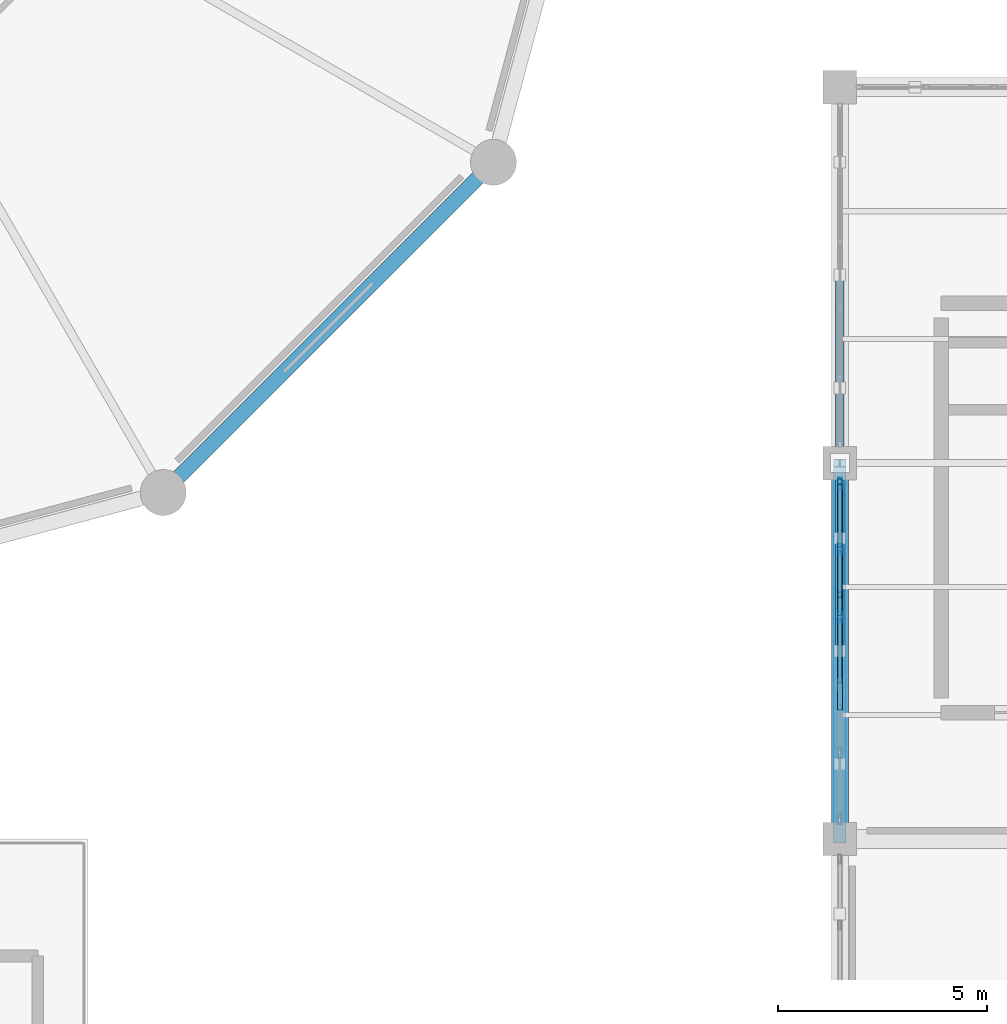
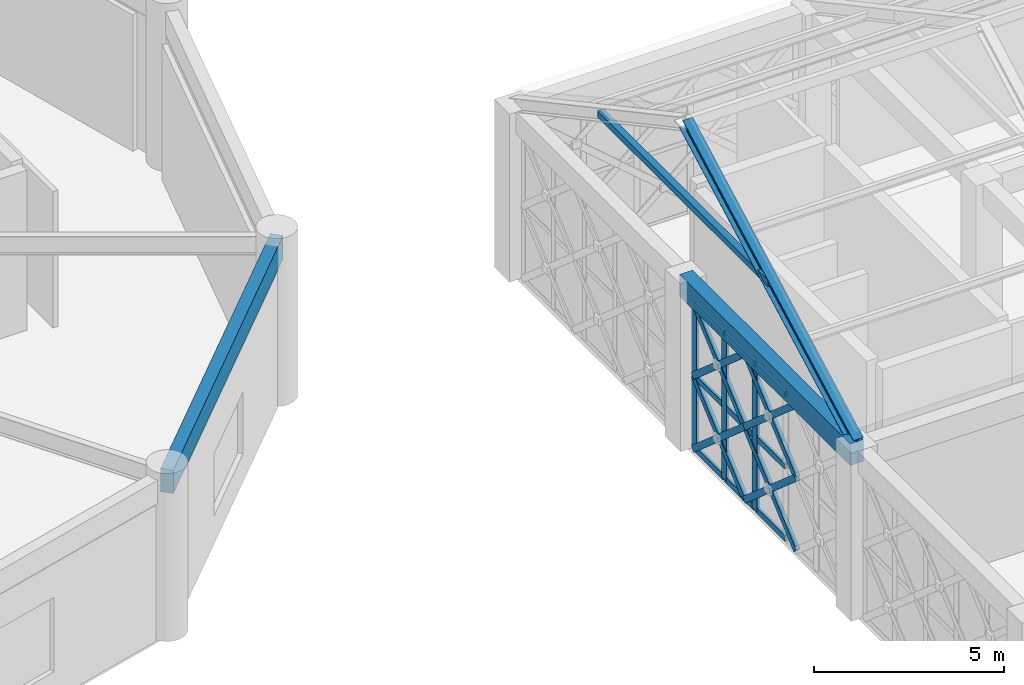
# One storey, part 25 of 86: 26 members, 2 beams, 1 element without a shape of its own.
"""IFC4 building model written with IfcOpenShell, lengths in metres."""

from ifc_helpers import new_model, si_unit, direction, frame, origin, origin_2d, place, context, subcontext, project, spatial, rectangle, hollow_rectangle, i_section, extrude, material, material_profile, profile_set, type_object, element, aggregate, save


model = new_model("IFC4")

# Units and contexts
model_context = context("Model", 3, precision=1e-05, world=origin(), true_north=direction((0.0, 1.0)))
body_context = subcontext(model_context, "Body", "Model", "MODEL_VIEW")
ifc_project = project(units=[si_unit("LENGTHUNIT", "METRE"), si_unit("AREAUNIT", "SQUARE_METRE"), si_unit("VOLUMEUNIT", "CUBIC_METRE"), si_unit("PLANEANGLEUNIT", "RADIAN"), si_unit("MASSUNIT", "GRAM", prefix="KILO")], contexts=[model_context])

# Site, building, storey
site_placement = place(None, origin())
site = spatial("IfcSite", under=ifc_project, at=site_placement, CompositionType="ELEMENT")
building_placement = place(site_placement, origin())
building = spatial("IfcBuilding", under=site, at=building_placement, Name="Haizhuo Lancet Aquarium", CompositionType="ELEMENT")
storey_placement = place(building_placement, frame((0.0, 0.0, 16.199951171875)))
storey = spatial("IfcBuildingStorey", under=building, at=storey_placement, Name="L03", CompositionType="ELEMENT", Elevation=16.199951171875)

# Beam
ifc_material_1 = material(Name="Concrete C40/50", Category="concrete")
ifc_material_profile_1 = material_profile(ifc_material_1, rectangle(XDim=0.39990234375, YDim=0.699951171875, at=origin_2d()), Name="RC-BM 400x700")
ifc_profile_set_1 = profile_set([ifc_material_profile_1], Name="Concrete C40/50")
beam_type_1 = type_object("IfcBeamType", Name="BM-RC-400x700", PredefinedType="BEAM", material=ifc_profile_set_1)
beam_1_placement = place(storey_placement, frame((27.0, -27.0, 5.050048828125), z_axis=(0.0, 1.0, 0.0), x_axis=(-1.0, 0.0, 0.0)))
element("IfcBeam", 1, at=beam_1_placement, inside=storey, type_object=beam_type_1, Name="L03 V3 primary girder BM-L03-V3-003", PredefinedType="BEAM", context=body_context, shape_type="SweptSolid", body=[
    extrude(rectangle(XDim=0.39990234375, YDim=0.699951171875, at=origin_2d()), origin(), (0.0, 0.0, 1.0), 9.0),
])

# Curtain wall, members
ifc_material_2 = material(Name="Aluminium 6063-T6", Category="aluminium")
curtain_wall_type = type_object("IfcCurtainWallType", Name="CWO-8110x4700", PredefinedType="NOTDEFINED", material=ifc_material_2)
curtain_wall_placement = place(storey_placement, origin())
curtain_wall = element("IfcCurtainWall", 2, at=curtain_wall_placement, inside=storey, type_object=curtain_wall_type, Name="L03 curtain wall CW-V3-L03-081", PredefinedType="NOTDEFINED")
ifc_material_profile_2 = material_profile(ifc_material_2, hollow_rectangle(XDim=0.080078125, YDim=0.260009765625, WallThickness=0.0048828125, at=origin_2d()), Name="ALU-M 80x260x5")
ifc_profile_set_2 = profile_set([ifc_material_profile_2], Name="Aluminium 6063-T6")
member_type_1 = type_object("IfcMemberType", Name="CW-MUL-3", PredefinedType="MULLION", material=ifc_profile_set_2)
member_1_placement = place(storey_placement, frame((27.0, -21.68896484375, 0.0), z_axis=(0.0, 0.0, 1.0), x_axis=(-1.0, 0.0, 0.0)))
member_1 = element("IfcMember", 3, at=member_1_placement, type_object=member_type_1, Name="CWO-81x47 mullion 4", PredefinedType="MULLION", context=body_context, shape_type="SweptSolid", body=[
    extrude(hollow_rectangle(XDim=0.080078125, YDim=0.260009765625, WallThickness=0.0048828125, at=origin_2d()), origin(), (0.0, 0.0, 1.0), 4.699951171875),
])
member_2_placement = place(storey_placement, frame((27.0, -20.06689453125, 0.0), z_axis=(0.0, 0.0, 1.0), x_axis=(-1.0, 0.0, 0.0)))
member_2 = element("IfcMember", 4, at=member_2_placement, type_object=member_type_1, Name="CWO-81x47 mullion 5", PredefinedType="MULLION", context=body_context, shape_type="SweptSolid", body=[
    extrude(hollow_rectangle(XDim=0.080078125, YDim=0.260009765625, WallThickness=0.0048828125, at=origin_2d()), origin(), (0.0, 0.0, 1.0), 4.699951171875),
])
member_3_placement = place(storey_placement, frame((27.0, -18.485107421875, 0.0), z_axis=(0.0, 0.0, 1.0), x_axis=(-1.0, 0.0, 0.0)))
member_3 = element("IfcMember", 5, at=member_3_placement, type_object=member_type_1, Name="CWO-81x47 mullion 6", PredefinedType="MULLION", context=body_context, shape_type="SweptSolid", body=[
    extrude(hollow_rectangle(XDim=0.080078125, YDim=0.260009765625, WallThickness=0.0048828125, at=origin_2d()), origin(), (0.0, 0.0, 1.0), 4.699951171875),
])
ifc_material_profile_3 = material_profile(ifc_material_2, hollow_rectangle(XDim=0.080078125, YDim=0.18994140625, WallThickness=0.0048828125, at=origin_2d()), Name="ALU-T 80x190x5")
ifc_profile_set_3 = profile_set([ifc_material_profile_3], Name="Aluminium 6063-T6")
member_type_2 = type_object("IfcMemberType", Name="CW-TRN-3", PredefinedType="NOTDEFINED", material=ifc_profile_set_3)
member_4_placement = place(storey_placement, frame((27.0, -23.27099609375, 0.0400390625), z_axis=(0.0, 1.0, 0.0), x_axis=(-1.0, 0.0, 0.0)))
member_4 = element("IfcMember", 6, at=member_4_placement, type_object=member_type_2, Name="CWO-81x47 transom 3.1", ObjectType="TRANSOM", PredefinedType="USERDEFINED", context=body_context, shape_type="SweptSolid", body=[
    extrude(hollow_rectangle(XDim=0.080078125, YDim=0.18994140625, WallThickness=0.0048828125, at=origin_2d()), origin(), (0.0, 0.0, 1.0), 1.5419921875),
])
member_5_placement = place(storey_placement, frame((27.0, -23.27099609375, 2.35009765625), z_axis=(0.0, 1.0, 0.0), x_axis=(-1.0, 0.0, 0.0)))
member_5 = element("IfcMember", 7, at=member_5_placement, type_object=member_type_2, Name="CWO-81x47 transom 3.2", ObjectType="TRANSOM", PredefinedType="USERDEFINED", context=body_context, shape_type="SweptSolid", body=[
    extrude(hollow_rectangle(XDim=0.080078125, YDim=0.18994140625, WallThickness=0.0048828125, at=origin_2d()), origin(), (0.0, 0.0, 1.0), 1.5419921875),
])
member_6_placement = place(storey_placement, frame((27.0, -23.27099609375, 4.66015625), z_axis=(0.0, 1.0, 0.0), x_axis=(-1.0, 0.0, 0.0)))
member_6 = element("IfcMember", 8, at=member_6_placement, type_object=member_type_2, Name="CWO-81x47 transom 3.3", ObjectType="TRANSOM", PredefinedType="USERDEFINED", context=body_context, shape_type="SweptSolid", body=[
    extrude(hollow_rectangle(XDim=0.080078125, YDim=0.18994140625, WallThickness=0.0048828125, at=origin_2d()), origin(), (0.0, 0.0, 1.0), 1.5419921875),
])
member_7_placement = place(storey_placement, frame((27.0, -21.64892578125, 0.0400390625), z_axis=(0.0, 1.0, 0.0), x_axis=(-1.0, 0.0, 0.0)))
member_7 = element("IfcMember", 9, at=member_7_placement, type_object=member_type_2, Name="CWO-81x47 transom 4.1", ObjectType="TRANSOM", PredefinedType="USERDEFINED", context=body_context, shape_type="SweptSolid", body=[
    extrude(hollow_rectangle(XDim=0.080078125, YDim=0.18994140625, WallThickness=0.0048828125, at=origin_2d()), origin(), (0.0, 0.0, 1.0), 1.5419921875),
])
member_8_placement = place(storey_placement, frame((27.0, -21.64892578125, 2.35009765625), z_axis=(0.0, 1.0, 0.0), x_axis=(-1.0, 0.0, 0.0)))
member_8 = element("IfcMember", 10, at=member_8_placement, type_object=member_type_2, Name="CWO-81x47 transom 4.2", ObjectType="TRANSOM", PredefinedType="USERDEFINED", context=body_context, shape_type="SweptSolid", body=[
    extrude(hollow_rectangle(XDim=0.080078125, YDim=0.18994140625, WallThickness=0.0048828125, at=origin_2d()), origin(), (0.0, 0.0, 1.0), 1.5419921875),
])
member_9_placement = place(storey_placement, frame((27.0, -21.64892578125, 4.66015625), z_axis=(0.0, 1.0, 0.0), x_axis=(-1.0, 0.0, 0.0)))
member_9 = element("IfcMember", 11, at=member_9_placement, type_object=member_type_2, Name="CWO-81x47 transom 4.3", ObjectType="TRANSOM", PredefinedType="USERDEFINED", context=body_context, shape_type="SweptSolid", body=[
    extrude(hollow_rectangle(XDim=0.080078125, YDim=0.18994140625, WallThickness=0.0048828125, at=origin_2d()), origin(), (0.0, 0.0, 1.0), 1.5419921875),
])
member_10_placement = place(storey_placement, frame((27.0, -20.027099609375, 0.0400390625), z_axis=(0.0, 1.0, 0.0), x_axis=(-1.0, 0.0, 0.0)))
member_10 = element("IfcMember", 12, at=member_10_placement, type_object=member_type_2, Name="CWO-81x47 transom 5.1", ObjectType="TRANSOM", PredefinedType="USERDEFINED", context=body_context, shape_type="SweptSolid", body=[
    extrude(hollow_rectangle(XDim=0.080078125, YDim=0.18994140625, WallThickness=0.0048828125, at=origin_2d()), origin(), (0.0, 0.0, 1.0), 1.502197265625),
])
member_11_placement = place(storey_placement, frame((27.0, -20.027099609375, 2.35009765625), z_axis=(0.0, 1.0, 0.0), x_axis=(-1.0, 0.0, 0.0)))
member_11 = element("IfcMember", 13, at=member_11_placement, type_object=member_type_2, Name="CWO-81x47 transom 5.2", ObjectType="TRANSOM", PredefinedType="USERDEFINED", context=body_context, shape_type="SweptSolid", body=[
    extrude(hollow_rectangle(XDim=0.080078125, YDim=0.18994140625, WallThickness=0.0048828125, at=origin_2d()), origin(), (0.0, 0.0, 1.0), 1.502197265625),
])
member_12_placement = place(storey_placement, frame((27.0, -20.027099609375, 4.66015625), z_axis=(0.0, 1.0, 0.0), x_axis=(-1.0, 0.0, 0.0)))
member_12 = element("IfcMember", 14, at=member_12_placement, type_object=member_type_2, Name="CWO-81x47 transom 5.3", ObjectType="TRANSOM", PredefinedType="USERDEFINED", context=body_context, shape_type="SweptSolid", body=[
    extrude(hollow_rectangle(XDim=0.080078125, YDim=0.18994140625, WallThickness=0.0048828125, at=origin_2d()), origin(), (0.0, 0.0, 1.0), 1.502197265625),
])
aggregate(curtain_wall, [member_1, member_2, member_3, member_4, member_5, member_6, member_7, member_8, member_9, member_10, member_11, member_12])

# Members
ifc_material_3 = material(Name="Steel S355", Category="steel")
ifc_material_profile_4 = material_profile(ifc_material_3, hollow_rectangle(XDim=0.199951171875, YDim=0.199951171875, WallThickness=0.010009765625, at=origin_2d()), Name="SHS 200x200x10")
ifc_profile_set_4 = profile_set([ifc_material_profile_4], Name="Steel S355")
member_type_3 = type_object("IfcMemberType", Name="MEM-CL-SHS200", PredefinedType="COLLAR", material=ifc_profile_set_4)
member_13_placement = place(storey_placement, frame((27.0, -22.5, 7.79296875), z_axis=(0.0, 1.0, 0.0), x_axis=(-1.0, 0.0, 0.0)))
element("IfcMember", 15, at=member_13_placement, inside=storey, type_object=member_type_3, Name="V3 Gothic roof collar tie 1", PredefinedType="COLLAR", context=body_context, shape_type="SweptSolid", body=[
    extrude(hollow_rectangle(XDim=0.199951171875, YDim=0.199951171875, WallThickness=0.010009765625, at=origin_2d()), origin(), (0.0, 0.0, 1.0), 9.0),
])
ifc_material_profile_5 = material_profile(ifc_material_3, hollow_rectangle(XDim=0.1201171875, YDim=0.199951171875, WallThickness=0.008056640625, at=origin_2d()), Name="RHS 120x200x8")
ifc_profile_set_5 = profile_set([ifc_material_profile_5], Name="Steel S355")
member_type_4 = type_object("IfcMemberType", Name="MEM-LB-RHS120x200", PredefinedType="BRACE", material=ifc_profile_set_5)
member_14_placement = place(storey_placement, frame((27.0, -23.85205078125, 0.0), z_axis=(0.0, 0.754784478057, 0.655972858954), x_axis=(-1.0, 0.0, 0.0)))
element("IfcMember", 16, at=member_14_placement, inside=storey, type_object=member_type_4, Name="Gothic lancet continuous diagonal brace CW-V3-L03-081 3A", PredefinedType="BRACE", context=body_context, shape_type="SweptSolid", body=[
    extrude(hollow_rectangle(XDim=0.1201171875, YDim=0.199951171875, WallThickness=0.008056640625, at=origin_2d()), origin(), (0.0, 0.0, 1.0), 3.58251953125),
])
for number, where, z_axis, x_axis, name in (
    (17, (27.0, -21.14794921875, 0.0), (0.0, -0.754784478057, 0.655972858954), (1.0, 0.0, 0.0), "Gothic lancet split diagonal brace CW-V3-L03-081 3B1"),
    (18, (27.0, -22.5, 1.175048828125), (0.0, -0.754784478057, 0.655972858954), (1.0, 0.0, 0.0), "Gothic lancet split diagonal brace CW-V3-L03-081 3B2"),
):
    element("IfcMember", number, at=place(storey_placement, frame(where, z_axis=z_axis, x_axis=x_axis)), inside=storey, type_object=member_type_4, Name=name, PredefinedType="BRACE", context=body_context, shape_type="SweptSolid", body=[
        extrude(hollow_rectangle(XDim=0.1201171875, YDim=0.199951171875, WallThickness=0.008056640625, at=origin_2d()), origin(), (0.0, 0.0, 1.0), 1.791259765625),
    ])
member_15_placement = place(storey_placement, frame((27.0, -23.85205078125, 2.35009765625), z_axis=(0.0, 0.754818218859, 0.655934033633), x_axis=(-1.0, 0.0, 0.0)))
element("IfcMember", 19, at=member_15_placement, inside=storey, type_object=member_type_4, Name="Gothic lancet continuous diagonal brace CW-V3-L03-081 4A", PredefinedType="BRACE", context=body_context, shape_type="SweptSolid", body=[
    extrude(hollow_rectangle(XDim=0.1201171875, YDim=0.199951171875, WallThickness=0.008056640625, at=origin_2d()), origin(), (0.0, 0.0, 1.0), 3.58251953125),
])
for number, where, z_axis, x_axis, name in (
    (20, (27.0, -21.14794921875, 2.35009765625), (0.0, -0.754784478057, 0.655972858954), (1.0, 0.0, 0.0), "Gothic lancet split diagonal brace CW-V3-L03-081 4B1"),
    (21, (27.0, -22.5, 3.525146484375), (0.0, -0.754851960681, 0.655895203105), (1.0, 0.0, 0.0), "Gothic lancet split diagonal brace CW-V3-L03-081 4B2"),
):
    element("IfcMember", number, at=place(storey_placement, frame(where, z_axis=z_axis, x_axis=x_axis)), inside=storey, type_object=member_type_4, Name=name, PredefinedType="BRACE", context=body_context, shape_type="SweptSolid", body=[
        extrude(hollow_rectangle(XDim=0.1201171875, YDim=0.199951171875, WallThickness=0.008056640625, at=origin_2d()), origin(), (0.0, 0.0, 1.0), 1.791259765625),
    ])
member_16_placement = place(storey_placement, frame((27.0, -21.14794921875, 0.0), z_axis=(0.0, 0.754637805349, 0.656141587417), x_axis=(-1.0, 0.0, 0.0)))
element("IfcMember", 22, at=member_16_placement, inside=storey, type_object=member_type_4, Name="Gothic lancet continuous diagonal brace CW-V3-L03-081 5A", PredefinedType="BRACE", context=body_context, shape_type="SweptSolid", body=[
    extrude(hollow_rectangle(XDim=0.1201171875, YDim=0.199951171875, WallThickness=0.008056640625, at=origin_2d()), origin(), (0.0, 0.0, 1.0), 3.581787109375),
])
member_17_placement = place(storey_placement, frame((27.0, -18.445068359375, 0.0), z_axis=(0.0, -0.754784478057, 0.655972858954), x_axis=(1.0, 0.0, 0.0)))
element("IfcMember", 23, at=member_17_placement, inside=storey, type_object=member_type_4, Name="Gothic lancet split diagonal brace CW-V3-L03-081 5B1", PredefinedType="BRACE", context=body_context, shape_type="SweptSolid", body=[
    extrude(hollow_rectangle(XDim=0.1201171875, YDim=0.199951171875, WallThickness=0.008056640625, at=origin_2d()), origin(), (0.0, 0.0, 1.0), 1.791259765625),
])
member_18_placement = place(storey_placement, frame((27.0, -19.797119140625, 1.175048828125), z_axis=(0.0, -0.754491019428, 0.656310369873), x_axis=(1.0, 0.0, 0.0)))
element("IfcMember", 24, at=member_18_placement, inside=storey, type_object=member_type_4, Name="Gothic lancet split diagonal brace CW-V3-L03-081 5B2", PredefinedType="BRACE", context=body_context, shape_type="SweptSolid", body=[
    extrude(hollow_rectangle(XDim=0.1201171875, YDim=0.199951171875, WallThickness=0.008056640625, at=origin_2d()), origin(), (0.0, 0.0, 1.0), 1.790283203125),
])
member_19_placement = place(storey_placement, frame((27.0, -21.14794921875, 2.35009765625), z_axis=(0.0, 0.754671556952, 0.6561027672), x_axis=(-1.0, 0.0, 0.0)))
element("IfcMember", 25, at=member_19_placement, inside=storey, type_object=member_type_4, Name="Gothic lancet continuous diagonal brace CW-V3-L03-081 6A", PredefinedType="BRACE", context=body_context, shape_type="SweptSolid", body=[
    extrude(hollow_rectangle(XDim=0.1201171875, YDim=0.199951171875, WallThickness=0.008056640625, at=origin_2d()), origin(), (0.0, 0.0, 1.0), 3.58154296875),
])
member_20_placement = place(storey_placement, frame((27.0, -18.445068359375, 2.35009765625), z_axis=(0.0, -0.754784478057, 0.655972858954), x_axis=(1.0, 0.0, 0.0)))
element("IfcMember", 26, at=member_20_placement, inside=storey, type_object=member_type_4, Name="Gothic lancet split diagonal brace CW-V3-L03-081 6B1", PredefinedType="BRACE", context=body_context, shape_type="SweptSolid", body=[
    extrude(hollow_rectangle(XDim=0.1201171875, YDim=0.199951171875, WallThickness=0.008056640625, at=origin_2d()), origin(), (0.0, 0.0, 1.0), 1.791259765625),
])
member_21_placement = place(storey_placement, frame((27.0, -19.797119140625, 3.525146484375), z_axis=(0.0, -0.754558545257, 0.656232734462), x_axis=(1.0, 0.0, 0.0)))
element("IfcMember", 27, at=member_21_placement, inside=storey, type_object=member_type_4, Name="Gothic lancet split diagonal brace CW-V3-L03-081 6B2", PredefinedType="BRACE", context=body_context, shape_type="SweptSolid", body=[
    extrude(hollow_rectangle(XDim=0.1201171875, YDim=0.199951171875, WallThickness=0.008056640625, at=origin_2d()), origin(), (0.0, 0.0, 1.0), 1.790283203125),
])
ifc_material_profile_6 = material_profile(ifc_material_3, i_section(OverallWidth=0.300048828125, OverallDepth=0.389892578125, WebThickness=0.010009765625, FlangeThickness=0.01611328125, FilletRadius=0.02001953125, at=origin_2d()), Name="HM 390x300x10x16")
ifc_profile_set_6 = profile_set([ifc_material_profile_6], Name="Steel S355")
member_type_5 = type_object("IfcMemberType", Name="MEM-RF-HM390", PredefinedType="RAFTER", material=ifc_profile_set_6)
member_22_placement = place(storey_placement, frame((27.0, -27.0, 5.3701171875), z_axis=(0.0, 0.880479536064, 0.474084155581), x_axis=(-1.0, 0.0, 0.0)))
element("IfcMember", 28, at=member_22_placement, inside=storey, type_object=member_type_5, Name="V3 Gothic pitched roof south rafter 1", PredefinedType="RAFTER", context=body_context, shape_type="SweptSolid", body=[
    extrude(i_section(OverallWidth=0.300048828125, OverallDepth=0.389892578125, WebThickness=0.010009765625, FlangeThickness=0.01611328125, FilletRadius=0.02001953125, at=origin_2d()), origin(), (0.0, 0.0, 1.0), 10.2216796875),
])

# Beam
ifc_material_profile_7 = material_profile(ifc_material_1, rectangle(XDim=0.35009765625, YDim=0.75, at=origin_2d()), Name="RC-SP 350x750")
ifc_profile_set_7 = profile_set([ifc_material_profile_7], Name="Concrete C40/50")
beam_type_2 = type_object("IfcBeamType", Name="SPN-RC-350x750", PredefinedType="SPANDREL", material=ifc_profile_set_7)
beam_2_placement = place(storey_placement, frame((10.800048828125, -18.7060546875, 4.775146484375), z_axis=(0.707106781187, 0.707106781187, 0.0), x_axis=(-0.707106781187, 0.707106781187, 0.0)))
element("IfcBeam", 29, at=beam_2_placement, inside=storey, type_object=beam_type_2, Name="L03 drum perimeter spandrel 11", PredefinedType="SPANDREL", context=body_context, shape_type="SweptSolid", body=[
    extrude(rectangle(XDim=0.35009765625, YDim=0.75, at=origin_2d()), origin(), (0.0, 0.0, 1.0), 11.1806640625),
])

save(model, "model.ifc")
